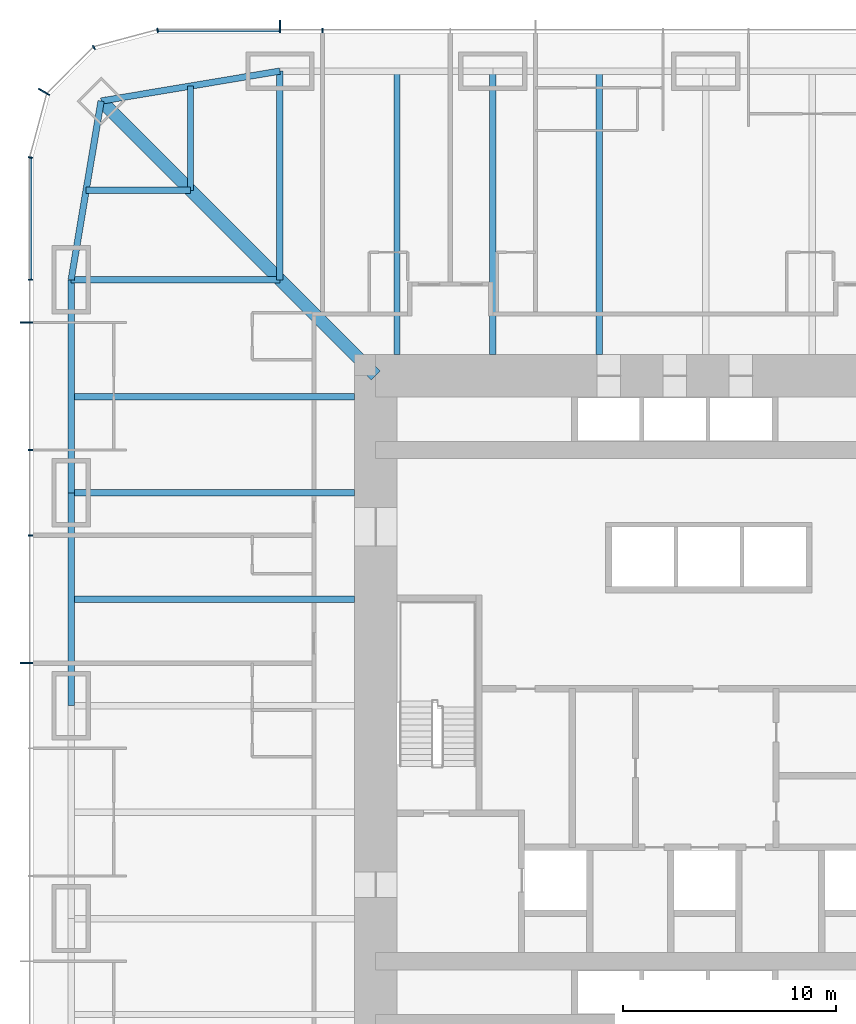
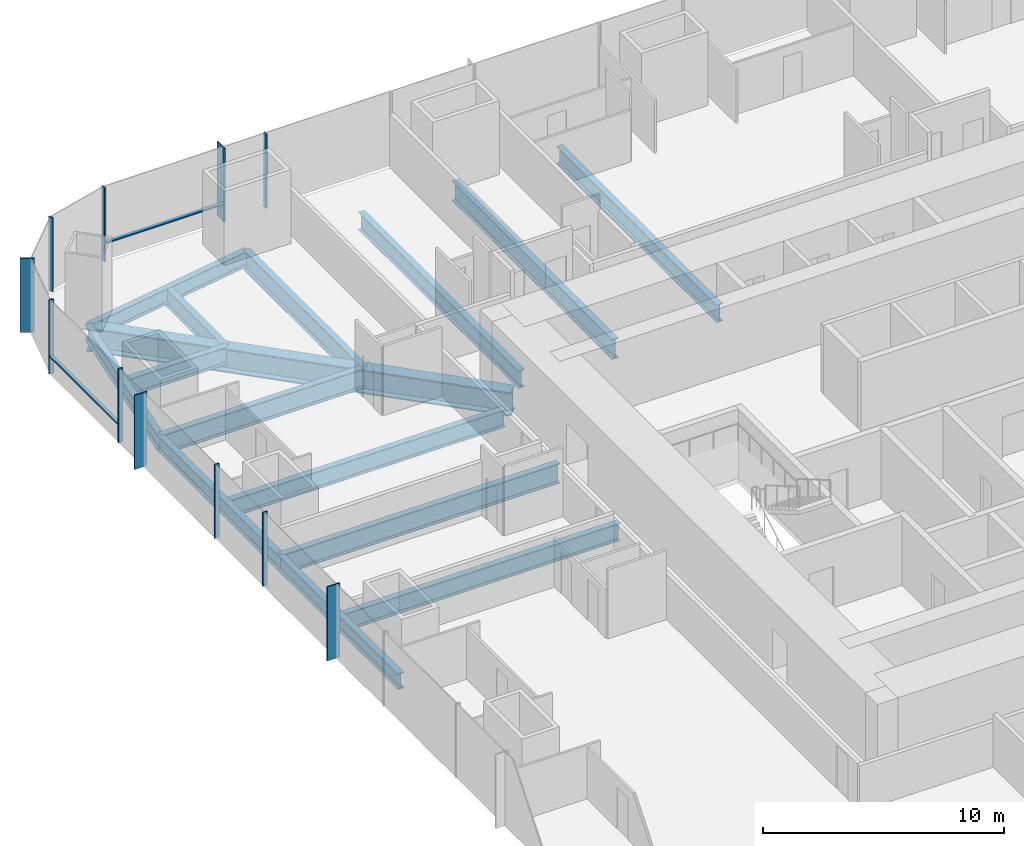
# One storey, part 6 of 17: 15 beams, 13 members, 3 elements without a shape of their own.
"""IFC4 building model written with IfcOpenShell, lengths in metres."""

from ifc_helpers import new_model, si_unit, direction, frame, origin, origin_2d, place, context, subcontext, project, spatial, rectangle, i_section, extrude, material, material_profile, profile_set, type_object, element, aggregate, save


model = new_model("IFC4")

# Units and contexts
model_context = context("Model", 3, precision=1e-05, world=origin(), true_north=direction((0.0, 1.0)))
body_context = subcontext(model_context, "Body", "Model", "MODEL_VIEW")
ifc_project = project(units=[si_unit("LENGTHUNIT", "METRE"), si_unit("AREAUNIT", "SQUARE_METRE"), si_unit("VOLUMEUNIT", "CUBIC_METRE"), si_unit("PLANEANGLEUNIT", "RADIAN"), si_unit("MASSUNIT", "GRAM", prefix="KILO")], contexts=[model_context])

# Site, building, storey
site_placement = place(None, origin())
site = spatial("IfcSite", under=ifc_project, at=site_placement, CompositionType="ELEMENT")
building_placement = place(site_placement, origin())
building = spatial("IfcBuilding", under=site, at=building_placement, Name="Khuree Lantern Residences", CompositionType="ELEMENT")
storey_placement = place(building_placement, frame((0.0, 0.0, 39.75)))
storey = spatial("IfcBuildingStorey", under=building, at=storey_placement, Name="L09", CompositionType="ELEMENT", Elevation=39.75)

# Beams
ifc_material_1 = material(Name="Steel S355", Category="steel")
ifc_material_profile_1 = material_profile(ifc_material_1, i_section(OverallWidth=0.300048828125, OverallDepth=0.889892578125, WebThickness=0.01611328125, FlangeThickness=0.030029296875, FilletRadius=0.030029296875, at=origin_2d()), Name="HE 900 A")
ifc_profile_set_1 = profile_set([ifc_material_profile_1], Name="Steel S355")
beam_type_1 = type_object("IfcBeamType", Name="B-12 SECONDARY BEAM HE 900 A", PredefinedType="BEAM", material=ifc_profile_set_1)
for number, where, z_axis, x_axis, name in (
    (1, (-14.5, 29.800048828125, -0.695068359375), (0.0, -1.0, 0.0), (1.0, 0.0, 0.0), "Secondary beam N1"),
    (2, (-5.0, 29.800048828125, -0.695068359375), (0.0, -1.0, 0.0), (1.0, 0.0, 0.0), "Secondary beam N2"),
    (3, (-29.800048828125, 5.0, -0.695068359375), (1.0, 0.0, 0.0), (0.0, 1.0, 0.0), "Secondary beam W4"),
    (4, (-29.800048828125, 14.5, -0.695068359375), (1.0, 0.0, 0.0), (0.0, 1.0, 0.0), "Secondary beam W5"),
):
    element("IfcBeam", number, at=place(storey_placement, frame(where, z_axis=z_axis, x_axis=x_axis)), inside=storey, type_object=beam_type_1, Name=name, PredefinedType="BEAM", context=body_context, shape_type="SweptSolid", body=[
        extrude(i_section(OverallWidth=0.300048828125, OverallDepth=0.889892578125, WebThickness=0.01611328125, FlangeThickness=0.030029296875, FilletRadius=0.030029296875, at=origin_2d()), origin(), (0.0, 0.0, 1.0), 13.300048828125),
    ])
for number, where, z_axis, x_axis, name in (
    (5, (-29.09716796875, 24.197021484375, -0.695068359375), (1.0, 0.0, 0.0), (0.0, 1.0, 0.0), "Secondary beam W6"),
    (6, (-24.197021484375, 29.09716796875, -0.695068359375), (0.0, -1.0, 0.0), (1.0, 0.0, 0.0), "Secondary beam N6"),
):
    element("IfcBeam", number, at=place(storey_placement, frame(where, z_axis=z_axis, x_axis=x_axis)), inside=storey, type_object=beam_type_1, Name=name, PredefinedType="BEAM", context=body_context, shape_type="SweptSolid", body=[
        extrude(i_section(OverallWidth=0.300048828125, OverallDepth=0.889892578125, WebThickness=0.01611328125, FlangeThickness=0.030029296875, FilletRadius=0.030029296875, at=origin_2d()), origin(), (0.0, 0.0, 1.0), 4.900146484375),
    ])
ifc_material_profile_2 = material_profile(ifc_material_1, i_section(OverallWidth=0.300048828125, OverallDepth=0.7900390625, WebThickness=0.014892578125, FlangeThickness=0.028076171875, FilletRadius=0.030029296875, at=origin_2d()), Name="HE 800 A")
ifc_profile_set_2 = profile_set([ifc_material_profile_2], Name="Steel S355")
beam_type_2 = type_object("IfcBeamType", Name="E-12 SPANDREL BEAM HE 800 A", PredefinedType="SPANDREL", material=ifc_profile_set_2)
for number, where, z_axis, x_axis, name in (
    (7, (-29.800048828125, 0.0, -0.64501953125), (0.0, 1.0, 0.0), (-1.0, 0.0, 0.0), "Spandrel beam W4"),
    (8, (-29.800048828125, 10.0, -0.64501953125), (0.0, 1.0, 0.0), (-1.0, 0.0, 0.0), "Spandrel beam W5"),
):
    element("IfcBeam", number, at=place(storey_placement, frame(where, z_axis=z_axis, x_axis=x_axis)), inside=storey, type_object=beam_type_2, Name=name, PredefinedType="SPANDREL", context=body_context, shape_type="SweptSolid", body=[
        extrude(i_section(OverallWidth=0.300048828125, OverallDepth=0.7900390625, WebThickness=0.014892578125, FlangeThickness=0.028076171875, FilletRadius=0.030029296875, at=origin_2d()), origin(), (0.0, 0.0, 1.0), 10.0),
    ])
for number, where, z_axis, x_axis, name in (
    (9, (-29.800048828125, 20.0, -0.64501953125), (0.165199022349, 0.986260251158, 0.0), (-0.986260251158, 0.165199022349, 0.0), "Spandrel beam W6"),
    (10, (-28.39404296875, 28.39404296875, -0.64501953125), (0.986260251158, 0.165199022349, 0.0), (-0.165199022349, 0.986260251158, 0.0), "Spandrel beam N6"),
):
    element("IfcBeam", number, at=place(storey_placement, frame(where, z_axis=z_axis, x_axis=x_axis)), inside=storey, type_object=beam_type_2, Name=name, PredefinedType="SPANDREL", context=body_context, shape_type="SweptSolid", body=[
        extrude(i_section(OverallWidth=0.300048828125, OverallDepth=0.7900390625, WebThickness=0.014892578125, FlangeThickness=0.028076171875, FilletRadius=0.030029296875, at=origin_2d()), origin(), (0.0, 0.0, 1.0), 8.510986328125),
    ])

# Curtain wall, member
ifc_material_2 = material(Name="Bronze anodised aluminium", Category="aluminium")
curtain_wall_type_1 = type_object("IfcCurtainWallType", Name="CW-T1 TOWER FACE CURTAIN WALL", PredefinedType="USERDEFINED", material=ifc_material_2)
curtain_wall_1_placement = place(storey_placement, origin())
curtain_wall_1 = element("IfcCurtainWall", 11, at=curtain_wall_1_placement, inside=storey, type_object=curtain_wall_type_1, Name="L09 NORTH FACE CURTAIN WALL", ObjectType="Stick-built curtain wall", PredefinedType="USERDEFINED")
ifc_material_profile_3 = material_profile(ifc_material_2, rectangle(XDim=0.06494140625, YDim=0.60009765625, at=origin_2d()), Name="F1 65X600")
ifc_profile_set_3 = profile_set([ifc_material_profile_3], Name="Bronze anodised aluminium")
member_type_1 = type_object("IfcMemberType", Name="F1 BRONZE FIN MULLION TOWER 65X600", PredefinedType="MULLION", material=ifc_profile_set_3)
member_1_placement = place(storey_placement, frame((-20.0, 31.89990234375, 0.0), z_axis=(0.0, 0.0, 1.0), x_axis=(-1.0, 0.0, 0.0)))
member_1 = element("IfcMember", 12, at=member_1_placement, type_object=member_type_1, Name="L09 NORTH FACE FIN MULLION 28", PredefinedType="MULLION", context=body_context, shape_type="SweptSolid", body=[
    extrude(rectangle(XDim=0.06494140625, YDim=0.60009765625, at=origin_2d()), origin(), (0.0, 0.0, 1.0), 3.75),
])

curtain_wall_type_2 = type_object("IfcCurtainWallType", Name="CW-T2 TOWER CORNER CURTAIN WALL", PredefinedType="USERDEFINED", material=ifc_material_2)
curtain_wall_2_placement = place(storey_placement, origin())
curtain_wall_2 = element("IfcCurtainWall", 13, at=curtain_wall_2_placement, inside=storey, type_object=curtain_wall_type_2, Name="L09 NORTH-WEST CORNER CURTAIN WALL", ObjectType="Faceted corner curtain wall", PredefinedType="USERDEFINED")
member_2_placement = place(storey_placement, frame((-31.076171875, 28.824951171875, 0.0), z_axis=(0.0, 0.0, 1.0), x_axis=(-0.500000056923, -0.86602537092, 0.0)))
member_2 = element("IfcMember", 14, at=member_2_placement, type_object=member_type_1, Name="L09 NORTH-WEST CORNER FIN MULLION 31", PredefinedType="MULLION", context=body_context, shape_type="SweptSolid", body=[
    extrude(rectangle(XDim=0.06494140625, YDim=0.60009765625, at=origin_2d()), origin(), (0.0, 0.0, 1.0), 3.75),
])

# Curtain wall, members
curtain_wall_3_placement = place(storey_placement, origin())
curtain_wall_3 = element("IfcCurtainWall", 15, at=curtain_wall_3_placement, inside=storey, type_object=curtain_wall_type_1, Name="L09 WEST FACE CURTAIN WALL", ObjectType="Stick-built curtain wall", PredefinedType="USERDEFINED")
member_3_placement = place(storey_placement, frame((-31.89990234375, 18.0, 0.0), z_axis=(0.0, 0.0, 1.0), x_axis=(0.0, -1.0, 0.0)))
member_3 = element("IfcMember", 16, at=member_3_placement, type_object=member_type_1, Name="L09 WEST FACE FIN MULLION 34", PredefinedType="MULLION", context=body_context, shape_type="SweptSolid", body=[
    extrude(rectangle(XDim=0.06494140625, YDim=0.60009765625, at=origin_2d()), origin(), (0.0, 0.0, 1.0), 3.75),
])
member_4_placement = place(storey_placement, frame((-31.89990234375, 2.0, 0.0), z_axis=(0.0, 0.0, 1.0), x_axis=(0.0, -1.0, 0.0)))
member_4 = element("IfcMember", 17, at=member_4_placement, type_object=member_type_1, Name="L09 WEST FACE FIN MULLION 37", PredefinedType="MULLION", context=body_context, shape_type="SweptSolid", body=[
    extrude(rectangle(XDim=0.06494140625, YDim=0.60009765625, at=origin_2d()), origin(), (0.0, 0.0, 1.0), 3.75),
])

# Beams
ifc_material_profile_4 = material_profile(ifc_material_1, i_section(OverallWidth=0.302001953125, OverallDepth=1.008056640625, WebThickness=0.02099609375, FlangeThickness=0.0400390625, FilletRadius=0.030029296875, at=origin_2d()), Name="HE 1000 M")
ifc_profile_set_4 = profile_set([ifc_material_profile_4], Name="Steel S355")
beam_type_3 = type_object("IfcBeamType", Name="G-12 GIRDER HE 1000 M", PredefinedType="BEAM", material=ifc_profile_set_4)
beam_1_placement = place(storey_placement, frame((-20.0, 29.800048828125, -0.75390625), z_axis=(0.0, -1.0, 0.0), x_axis=(1.0, 0.0, 0.0)))
element("IfcBeam", 18, at=beam_1_placement, inside=storey, type_object=beam_type_3, Name="Girder N1", PredefinedType="BEAM", context=body_context, shape_type="SweptSolid", body=[
    extrude(i_section(OverallWidth=0.302001953125, OverallDepth=1.008056640625, WebThickness=0.02099609375, FlangeThickness=0.0400390625, FilletRadius=0.030029296875, at=origin_2d()), origin(), (0.0, 0.0, 1.0), 9.800048828125),
])
for number, where, z_axis, x_axis, name in (
    (19, (-10.0, 29.800048828125, -0.75390625), (0.0, -1.0, 0.0), (1.0, 0.0, 0.0), "Girder N2"),
    (20, (-29.800048828125, 10.0, -0.75390625), (1.0, 0.0, 0.0), (0.0, 1.0, 0.0), "Girder W4"),
):
    element("IfcBeam", number, at=place(storey_placement, frame(where, z_axis=z_axis, x_axis=x_axis)), inside=storey, type_object=beam_type_3, Name=name, PredefinedType="BEAM", context=body_context, shape_type="SweptSolid", body=[
        extrude(i_section(OverallWidth=0.302001953125, OverallDepth=1.008056640625, WebThickness=0.02099609375, FlangeThickness=0.0400390625, FilletRadius=0.030029296875, at=origin_2d()), origin(), (0.0, 0.0, 1.0), 13.300048828125),
    ])
beam_2_placement = place(storey_placement, frame((-29.800048828125, 20.0, -0.75390625), z_axis=(1.0, 0.0, 0.0), x_axis=(0.0, 1.0, 0.0)))
element("IfcBeam", 21, at=beam_2_placement, inside=storey, type_object=beam_type_3, Name="Girder W5", PredefinedType="BEAM", context=body_context, shape_type="SweptSolid", body=[
    extrude(i_section(OverallWidth=0.302001953125, OverallDepth=1.008056640625, WebThickness=0.02099609375, FlangeThickness=0.0400390625, FilletRadius=0.030029296875, at=origin_2d()), origin(), (0.0, 0.0, 1.0), 9.800048828125),
])
ifc_material_profile_5 = material_profile(ifc_material_1, i_section(OverallWidth=0.60009765625, OverallDepth=1.199951171875, WebThickness=0.030029296875, FlangeThickness=0.06005859375, at=origin_2d()), Name="WELDED I 1200X600X30X60")
ifc_profile_set_5 = profile_set([ifc_material_profile_5], Name="Steel S355")
beam_type_4 = type_object("IfcBeamType", Name="GD-12 CORNER GIRDER WELDED I 1200X600X30X60", PredefinedType="BEAM", material=ifc_profile_set_5)
beam_3_placement = place(storey_placement, frame((-28.39404296875, 28.39404296875, -0.85009765625), z_axis=(0.707106781187, -0.707106781187, 0.0), x_axis=(0.707106781187, 0.707106781187, 0.0)))
element("IfcBeam", 22, at=beam_3_placement, inside=storey, type_object=beam_type_4, Name="Corner girder NW", PredefinedType="BEAM", context=body_context, shape_type="SweptSolid", body=[
    extrude(i_section(OverallWidth=0.60009765625, OverallDepth=1.199951171875, WebThickness=0.030029296875, FlangeThickness=0.06005859375, at=origin_2d()), origin(), (0.0, 0.0, 1.0), 18.23486328125),
])

# Member
ifc_material_profile_6 = material_profile(ifc_material_2, rectangle(XDim=0.06494140625, YDim=0.219970703125, at=origin_2d()), Name="M1 65X220")
ifc_profile_set_6 = profile_set([ifc_material_profile_6], Name="Bronze anodised aluminium")
member_type_2 = type_object("IfcMemberType", Name="M1 BRONZE MULLION TOWER 65X220", PredefinedType="MULLION", material=ifc_profile_set_6)
member_5_placement = place(storey_placement, frame((-18.0, 31.7099609375, 0.0), z_axis=(0.0, 0.0, 1.0), x_axis=(-1.0, 0.0, 0.0)))
member_5 = element("IfcMember", 23, at=member_5_placement, type_object=member_type_2, Name="L09 NORTH FACE MULLION 27", PredefinedType="MULLION", context=body_context, shape_type="SweptSolid", body=[
    extrude(rectangle(XDim=0.06494140625, YDim=0.219970703125, at=origin_2d()), origin(), (0.0, 0.0, 1.0), 3.75),
])

member_6_placement = place(storey_placement, frame((-25.744873046875, 31.711669921875, 0.0), z_axis=(0.0, 0.0, 1.0), x_axis=(-0.991444852794, -0.130526257387, 0.0)))
member_6 = element("IfcMember", 24, at=member_6_placement, type_object=member_type_2, Name="L09 NORTH-WEST CORNER MULLION 29", PredefinedType="MULLION", context=body_context, shape_type="SweptSolid", body=[
    extrude(rectangle(XDim=0.06494140625, YDim=0.219970703125, at=origin_2d()), origin(), (0.0, 0.0, 1.0), 3.75),
])

member_7_placement = place(storey_placement, frame((-28.72998046875, 30.91162109375, 0.0), z_axis=(0.0, 0.0, 1.0), x_axis=(-0.86602537092, -0.500000056923, 0.0)))
member_7 = element("IfcMember", 25, at=member_7_placement, type_object=member_type_2, Name="L09 NORTH-WEST CORNER MULLION 30", PredefinedType="MULLION", context=body_context, shape_type="SweptSolid", body=[
    extrude(rectangle(XDim=0.06494140625, YDim=0.219970703125, at=origin_2d()), origin(), (0.0, 0.0, 1.0), 3.75),
])

aggregate(curtain_wall_2, [member_6, member_7, member_2])

member_8_placement = place(storey_placement, frame((-31.711669921875, 25.744873046875, 0.0), z_axis=(0.0, 0.0, 1.0), x_axis=(-0.130526257387, -0.991444852794, 0.0)))
member_8 = element("IfcMember", 26, at=member_8_placement, type_object=member_type_2, Name="L09 WEST FACE MULLION 32", PredefinedType="MULLION", context=body_context, shape_type="SweptSolid", body=[
    extrude(rectangle(XDim=0.06494140625, YDim=0.219970703125, at=origin_2d()), origin(), (0.0, 0.0, 1.0), 3.75),
])

member_9_placement = place(storey_placement, frame((-31.7099609375, 20.0, 0.0), z_axis=(0.0, 0.0, 1.0), x_axis=(0.0, -1.0, 0.0)))
member_9 = element("IfcMember", 27, at=member_9_placement, type_object=member_type_2, Name="L09 WEST FACE MULLION 33", PredefinedType="MULLION", context=body_context, shape_type="SweptSolid", body=[
    extrude(rectangle(XDim=0.06494140625, YDim=0.219970703125, at=origin_2d()), origin(), (0.0, 0.0, 1.0), 3.75),
])

member_10_placement = place(storey_placement, frame((-31.7099609375, 12.0, 0.0), z_axis=(0.0, 0.0, 1.0), x_axis=(0.0, -1.0, 0.0)))
member_10 = element("IfcMember", 28, at=member_10_placement, type_object=member_type_2, Name="L09 WEST FACE MULLION 35", PredefinedType="MULLION", context=body_context, shape_type="SweptSolid", body=[
    extrude(rectangle(XDim=0.06494140625, YDim=0.219970703125, at=origin_2d()), origin(), (0.0, 0.0, 1.0), 3.75),
])

member_11_placement = place(storey_placement, frame((-31.7099609375, 8.0, 0.0), z_axis=(0.0, 0.0, 1.0), x_axis=(0.0, -1.0, 0.0)))
member_11 = element("IfcMember", 29, at=member_11_placement, type_object=member_type_2, Name="L09 WEST FACE MULLION 36", PredefinedType="MULLION", context=body_context, shape_type="SweptSolid", body=[
    extrude(rectangle(XDim=0.06494140625, YDim=0.219970703125, at=origin_2d()), origin(), (0.0, 0.0, 1.0), 3.75),
])

ifc_material_profile_7 = material_profile(ifc_material_2, rectangle(XDim=0.179931640625, YDim=0.06494140625, at=origin_2d()), Name="T1 180X65")
ifc_profile_set_7 = profile_set([ifc_material_profile_7], Name="Bronze anodised aluminium")
member_type_3 = type_object("IfcMemberType", Name="TRANSOM T1 TOWER 180X65", PredefinedType="USERDEFINED", material=ifc_profile_set_7)
member_12_placement = place(storey_placement, frame((-20.032470703125, 31.719970703125, 0.89990234375), z_axis=(-1.0, 0.0, 0.0), x_axis=(0.0, -1.0, 0.0)))
member_12 = element("IfcMember", 30, at=member_12_placement, type_object=member_type_3, Name="L09 NORTH FACE TRANSOM 28.1", ObjectType="Transom", PredefinedType="USERDEFINED", context=body_context, shape_type="SweptSolid", body=[
    extrude(rectangle(XDim=0.179931640625, YDim=0.06494140625, at=origin_2d()), origin(), (0.0, 0.0, 1.0), 5.6689453125),
])

aggregate(curtain_wall_1, [member_5, member_1, member_12])

member_13_placement = place(storey_placement, frame((-31.719970703125, 25.701416015625, 0.89990234375), z_axis=(0.0, -1.0, 0.0), x_axis=(1.0, 0.0, 0.0)))
member_13 = element("IfcMember", 31, at=member_13_placement, type_object=member_type_3, Name="L09 WEST FACE TRANSOM 32.1", ObjectType="Transom", PredefinedType="USERDEFINED", context=body_context, shape_type="SweptSolid", body=[
    extrude(rectangle(XDim=0.179931640625, YDim=0.06494140625, at=origin_2d()), origin(), (0.0, 0.0, 1.0), 5.6689453125),
])

aggregate(curtain_wall_3, [member_8, member_9, member_3, member_10, member_11, member_4, member_13])

save(model, "model.ifc")
